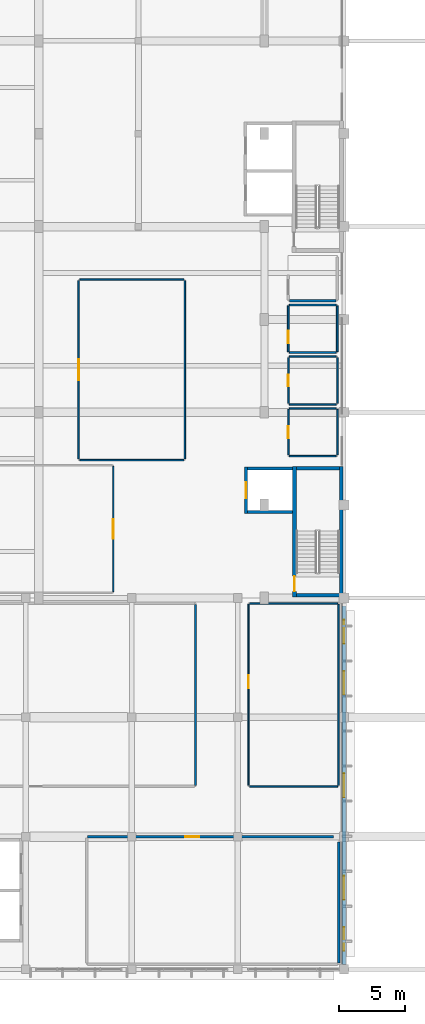
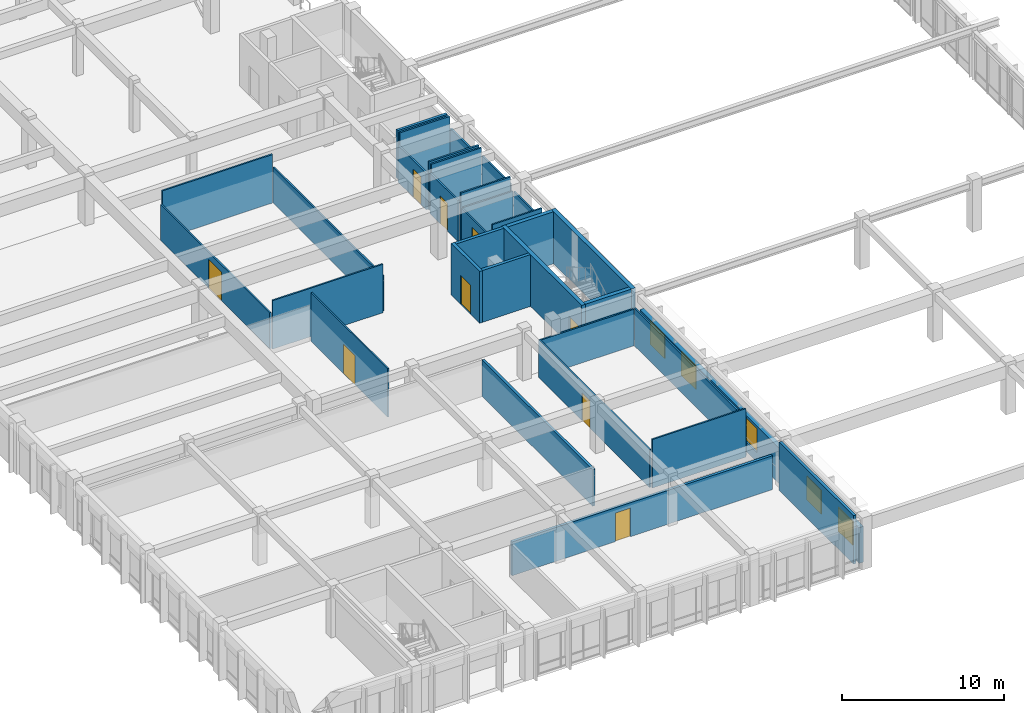
# One storey, part 73 of 98: 33 walls, 9 doors, 5 windows, 14 openings.
"""IFC4 building model written with IfcOpenShell, lengths in metres."""

from ifc_helpers import new_model, si_unit, direction, frame, frame_2d, origin, place, context, subcontext, project, spatial, rectangle, extrude, material, layer, layer_set, type_object, element, fill, save


model = new_model("IFC4")

# Units and contexts
model_context = context("Model", 3, precision=1e-05, world=origin(), true_north=direction((0.0, 1.0)))
body_context = subcontext(model_context, "Body", "Model", "MODEL_VIEW")
ifc_project = project(units=[si_unit("LENGTHUNIT", "METRE"), si_unit("AREAUNIT", "SQUARE_METRE"), si_unit("VOLUMEUNIT", "CUBIC_METRE"), si_unit("PLANEANGLEUNIT", "RADIAN"), si_unit("MASSUNIT", "GRAM", prefix="KILO")], contexts=[model_context])

# Site, building, storey
site_placement = place(None, origin())
site = spatial("IfcSite", under=ifc_project, at=site_placement, CompositionType="ELEMENT")
building_placement = place(site_placement, origin())
building = spatial("IfcBuilding", under=site, at=building_placement, Name="Larkveld Mobility Hub", CompositionType="ELEMENT")
storey_placement = place(building_placement, frame((0.0, 0.0, 4.5)))
storey = spatial("IfcBuildingStorey", under=building, at=storey_placement, Name="L01", CompositionType="ELEMENT", Elevation=4.5)

# Wall, opening, door
ifc_material_1 = material(Name="Concrete C40/50", Category="concrete")
ifc_layer_1 = layer(ifc_material_1, 0.280029296875, Name="Concrete C40/50", Category="concrete")
ifc_layer_set_1 = layer_set([ifc_layer_1], Name="Concrete C40/50")
wall_type_1 = type_object("IfcWallType", Name="WL-CORE-280", PredefinedType="SHEAR", material=ifc_layer_set_1)
wall_1_placement = place(storey_placement, frame((148.260009765625, 28.070068359375, 0.0), z_axis=(0.0, 0.0, 1.0), x_axis=(0.0, 1.0, 0.0)))
wall_1 = element("IfcWall", 1, at=wall_1_placement, inside=storey, type_object=wall_type_1, Name="Core C1 Stair Shear Wall L01-W", PredefinedType="SHEAR", context=body_context, shape_type="SweptSolid", body=[
    extrude(rectangle(XDim=9.85986328125, YDim=0.280029296875, at=frame_2d((4.929931640625, 0.0))), origin(), (0.0, 0.0, 1.0), 3.89990234375),
])
opening_1_placement = place(wall_1_placement, frame((0.429931640625, 0.0, 0.0)))
opening_1 = element("IfcOpeningElement", 2, at=opening_1_placement, cuts=wall_1, Name="Opening DF01", PredefinedType="OPENING", context=body_context, shape_type="SweptSolid", body=[
    extrude(rectangle(XDim=1.14990234375, YDim=2.14990234375, at=frame_2d((0.574951171875, 1.074951171875))), frame((0.0, 0.14990234375, 0.0), z_axis=(0.0, -1.0, 0.0), x_axis=(1.0, 0.0, 0.0)), (0.0, 0.0, 1.0), 0.300048828125),
])
ifc_material_2 = material(Name="Pressed Steel S355JR fire door assembly", Category="steel")
door_type_1 = type_object("IfcDoorType", Name="DR-FD120", OperationType="NOTDEFINED", PredefinedType="DOOR", material=ifc_material_2)
door_1_placement = place(opening_1_placement, origin())
door_1 = element("IfcDoor", 3, at=door_1_placement, inside=storey, type_object=door_type_1, Name="Stair ST1 Fire Door L01", OperationType="SINGLE_SWING_LEFT", OverallHeight=2.14990234375, OverallWidth=1.14990234375, PredefinedType="DOOR", context=body_context, shape_type="SweptSolid", body=[
    extrude(rectangle(XDim=1.14990234375, YDim=2.14990234375, at=frame_2d((0.574951171875, 1.074951171875))), frame((0.0, 0.02490234375, 0.0), z_axis=(0.0, -1.0, 0.0), x_axis=(1.0, 0.0, 0.0)), (0.0, 0.0, 1.0), 0.050048828125),
])
fill(opening_1, door_1)

# Walls
wall_2_placement = place(storey_placement, frame((151.7900390625, 37.929931640625, 0.0), z_axis=(0.0, 0.0, 1.0), x_axis=(0.0, -1.0, 0.0)))
element("IfcWall", 4, at=wall_2_placement, inside=storey, type_object=wall_type_1, Name="Core C1 Stair Shear Wall L01-E", PredefinedType="SHEAR", context=body_context, shape_type="SweptSolid", body=[
    extrude(rectangle(XDim=9.85986328125, YDim=0.280029296875, at=frame_2d((4.929931640625, 0.0))), origin(), (0.0, 0.0, 1.0), 3.89990234375),
])
for number, where, z_axis, x_axis, name in (
    (5, (151.64990234375, 28.2099609375, 0.0), (0.0, 0.0, 1.0), (-1.0, 0.0, 0.0), "Core C1 Stair Shear Wall L01-S"),
    (6, (148.39990234375, 37.7900390625, 0.0), (0.0, 0.0, 1.0), (1.0, 0.0, 0.0), "Core C1 Stair Shear Wall L01-N"),
):
    element("IfcWall", number, at=place(storey_placement, frame(where, z_axis=z_axis, x_axis=x_axis)), inside=storey, type_object=wall_type_1, Name=name, PredefinedType="SHEAR", context=body_context, shape_type="SweptSolid", body=[
        extrude(rectangle(XDim=3.25, YDim=0.280029296875, at=frame_2d((1.625, 0.0))), origin(), (0.0, 0.0, 1.0), 3.89990234375),
    ])

# Wall, openings, windows
ifc_material_3 = material(Name="Precast concrete C50/60", Category="concrete")
ifc_layer_2 = layer(ifc_material_3, 0.300048828125, Name="Precast concrete C50/60", Category="concrete")
ifc_layer_set_2 = layer_set([ifc_layer_2], Name="Precast concrete C50/60")
wall_type_2 = type_object("IfcWallType", Name="WL-EXT-300", PredefinedType="SOLIDWALL", material=ifc_layer_set_2)
wall_3_placement = place(storey_placement, frame((152.0, 0.360107421875, 0.0), z_axis=(0.0, 0.0, 1.0), x_axis=(0.0, 1.0, 0.0)))
wall_3 = element("IfcWall", 7, at=wall_3_placement, inside=storey, type_object=wall_type_2, Name="Service Wing East Wall L01-0208", PredefinedType="SOLIDWALL", context=body_context, shape_type="SweptSolid", body=[
    extrude(rectangle(XDim=27.02490234375, YDim=0.300048828125, at=frame_2d((13.512451171875, 0.0))), origin(), (0.0, 0.0, 1.0), 2.695068359375),
])
opening_2_placement = place(wall_3_placement, frame((1.030029296875, 0.0, 0.695068359375)))
opening_2 = element("IfcOpeningElement", 8, at=opening_2_placement, cuts=wall_3, Name="Opening W12", PredefinedType="OPENING", context=body_context, shape_type="SweptSolid", body=[
    extrude(rectangle(XDim=1.800048828125, YDim=1.800048828125, at=frame_2d((0.89990234375, 0.89990234375))), frame((0.0, 0.16015625, 0.0), z_axis=(0.0, -1.0, 0.0), x_axis=(1.0, 0.0, 0.0)), (0.0, 0.0, 1.0), 0.320068359375),
])
opening_3_placement = place(wall_3_placement, frame((4.89111328125, 0.0, 0.695068359375)))
opening_3 = element("IfcOpeningElement", 9, at=opening_3_placement, cuts=wall_3, Name="Opening W12", PredefinedType="OPENING", context=body_context, shape_type="SweptSolid", body=[
    extrude(rectangle(XDim=1.800048828125, YDim=1.800048828125, at=frame_2d((0.89990234375, 0.89990234375))), frame((0.0, 0.16015625, 0.0), z_axis=(0.0, -1.0, 0.0), x_axis=(1.0, 0.0, 0.0)), (0.0, 0.0, 1.0), 0.320068359375),
])
opening_4_placement = place(wall_3_placement, frame((12.613037109375, 0.0, 0.695068359375)))
opening_4 = element("IfcOpeningElement", 10, at=opening_4_placement, cuts=wall_3, Name="Opening W12", PredefinedType="OPENING", context=body_context, shape_type="SweptSolid", body=[
    extrude(rectangle(XDim=1.800048828125, YDim=1.800048828125, at=frame_2d((0.89990234375, 0.89990234375))), frame((0.0, 0.16015625, 0.0), z_axis=(0.0, -1.0, 0.0), x_axis=(1.0, 0.0, 0.0)), (0.0, 0.0, 1.0), 0.320068359375),
])
opening_5_placement = place(wall_3_placement, frame((20.333984375, 0.0, 0.695068359375)))
opening_5 = element("IfcOpeningElement", 11, at=opening_5_placement, cuts=wall_3, Name="Opening W12", PredefinedType="OPENING", context=body_context, shape_type="SweptSolid", body=[
    extrude(rectangle(XDim=1.800048828125, YDim=1.800048828125, at=frame_2d((0.89990234375, 0.89990234375))), frame((0.0, 0.16015625, 0.0), z_axis=(0.0, -1.0, 0.0), x_axis=(1.0, 0.0, 0.0)), (0.0, 0.0, 1.0), 0.320068359375),
])
opening_6_placement = place(wall_3_placement, frame((24.195068359375, 0.0, 0.695068359375)))
opening_6 = element("IfcOpeningElement", 12, at=opening_6_placement, cuts=wall_3, Name="Opening W12", PredefinedType="OPENING", context=body_context, shape_type="SweptSolid", body=[
    extrude(rectangle(XDim=1.800048828125, YDim=1.800048828125, at=frame_2d((0.89990234375, 0.89990234375))), frame((0.0, 0.16015625, 0.0), z_axis=(0.0, -1.0, 0.0), x_axis=(1.0, 0.0, 0.0)), (0.0, 0.0, 1.0), 0.320068359375),
])
ifc_material_4 = material(Name="Low-E double glazing in aluminium frame", Category="aluminium")
window_type = type_object("IfcWindowType", Name="WN-ALU-12", PartitioningType="SINGLE_PANEL", PredefinedType="WINDOW", material=ifc_material_4)
window_1_placement = place(opening_2_placement, origin())
window_1 = element("IfcWindow", 13, at=window_1_placement, inside=storey, type_object=window_type, Name="Window W12 (1000)", OverallHeight=1.800048828125, OverallWidth=1.800048828125, PartitioningType="SINGLE_PANEL", PredefinedType="WINDOW", context=body_context, shape_type="SweptSolid", body=[
    extrude(rectangle(XDim=1.800048828125, YDim=1.800048828125, at=frame_2d((0.89990234375, 0.89990234375))), frame((0.0, 0.030029296875, 0.0), z_axis=(0.0, -1.0, 0.0), x_axis=(1.0, 0.0, 0.0)), (0.0, 0.0, 1.0), 0.06005859375),
])
fill(opening_2, window_1)
window_2_placement = place(opening_3_placement, origin())
window_2 = element("IfcWindow", 14, at=window_2_placement, inside=storey, type_object=window_type, Name="Window W12 (1001)", OverallHeight=1.800048828125, OverallWidth=1.800048828125, PartitioningType="SINGLE_PANEL", PredefinedType="WINDOW", context=body_context, shape_type="SweptSolid", body=[
    extrude(rectangle(XDim=1.800048828125, YDim=1.800048828125, at=frame_2d((0.89990234375, 0.89990234375))), frame((0.0, 0.030029296875, 0.0), z_axis=(0.0, -1.0, 0.0), x_axis=(1.0, 0.0, 0.0)), (0.0, 0.0, 1.0), 0.06005859375),
])
fill(opening_3, window_2)
window_3_placement = place(opening_4_placement, origin())
window_3 = element("IfcWindow", 15, at=window_3_placement, inside=storey, type_object=window_type, Name="Window W12 (1002)", OverallHeight=1.800048828125, OverallWidth=1.800048828125, PartitioningType="SINGLE_PANEL", PredefinedType="WINDOW", context=body_context, shape_type="SweptSolid", body=[
    extrude(rectangle(XDim=1.800048828125, YDim=1.800048828125, at=frame_2d((0.89990234375, 0.89990234375))), frame((0.0, 0.030029296875, 0.0), z_axis=(0.0, -1.0, 0.0), x_axis=(1.0, 0.0, 0.0)), (0.0, 0.0, 1.0), 0.06005859375),
])
fill(opening_4, window_3)
window_4_placement = place(opening_5_placement, origin())
window_4 = element("IfcWindow", 16, at=window_4_placement, inside=storey, type_object=window_type, Name="Window W12 (1003)", OverallHeight=1.800048828125, OverallWidth=1.800048828125, PartitioningType="SINGLE_PANEL", PredefinedType="WINDOW", context=body_context, shape_type="SweptSolid", body=[
    extrude(rectangle(XDim=1.800048828125, YDim=1.800048828125, at=frame_2d((0.89990234375, 0.89990234375))), frame((0.0, 0.030029296875, 0.0), z_axis=(0.0, -1.0, 0.0), x_axis=(1.0, 0.0, 0.0)), (0.0, 0.0, 1.0), 0.06005859375),
])
fill(opening_5, window_4)
window_5_placement = place(opening_6_placement, origin())
window_5 = element("IfcWindow", 17, at=window_5_placement, inside=storey, type_object=window_type, Name="Window W12 (1004)", OverallHeight=1.800048828125, OverallWidth=1.800048828125, PartitioningType="SINGLE_PANEL", PredefinedType="WINDOW", context=body_context, shape_type="SweptSolid", body=[
    extrude(rectangle(XDim=1.800048828125, YDim=1.800048828125, at=frame_2d((0.89990234375, 0.89990234375))), frame((0.0, 0.030029296875, 0.0), z_axis=(0.0, -1.0, 0.0), x_axis=(1.0, 0.0, 0.0)), (0.0, 0.0, 1.0), 0.06005859375),
])
fill(opening_6, window_5)

# Wall, opening, door
ifc_material_5 = material(Name="Concrete blockwork masonry 14 MPa", Category="masonry")
ifc_layer_3 = layer(ifc_material_5, 0.10009765625, Name="Concrete blockwork masonry 14 MPa", Category="masonry")
ifc_layer_set_3 = layer_set([ifc_layer_3], Name="Concrete blockwork masonry 14 MPa")
wall_type_3 = type_object("IfcWallType", Name="WL-PRT-100", PredefinedType="PARTITIONING", material=ifc_layer_set_3)
wall_4_placement = place(storey_placement, frame((134.60009765625, 28.47998046875, 0.0), z_axis=(0.0, 0.0, 1.0), x_axis=(0.0, 1.0, 0.0)))
wall_4 = element("IfcWall", 18, at=wall_4_placement, inside=storey, type_object=wall_type_3, Name="Intermodal Passenger Waiting Concourse Partition 0078", PredefinedType="PARTITIONING", context=body_context, shape_type="SweptSolid", body=[
    extrude(rectangle(XDim=9.43994140625, YDim=0.10009765625, at=frame_2d((4.719970703125, 0.0))), origin(), (0.0, 0.0, 1.0), 3.64501953125),
])
opening_7_placement = place(wall_4_placement, frame((3.9951171875, 0.0, 0.0)))
opening_7 = element("IfcOpeningElement", 19, at=opening_7_placement, cuts=wall_4, Name="Opening DI08", PredefinedType="OPENING", context=body_context, shape_type="SweptSolid", body=[
    extrude(rectangle(XDim=1.449951171875, YDim=2.199951171875, at=frame_2d((0.72509765625, 1.10009765625))), frame((0.0, 0.06005859375, 0.0), z_axis=(0.0, -1.0, 0.0), x_axis=(1.0, 0.0, 0.0)), (0.0, 0.0, 1.0), 0.1201171875),
])
ifc_material_6 = material(Name="Solid-core hardwood timber door in aluminium frame", Category="wood")
door_type_2 = type_object("IfcDoorType", Name="DR-INT-145", OperationType="NOTDEFINED", PredefinedType="DOOR", material=ifc_material_6)
door_2_placement = place(opening_7_placement, origin())
door_2 = element("IfcDoor", 20, at=door_2_placement, inside=storey, type_object=door_type_2, Name="Intermodal Passenger Waiting Concourse Door 0020", OperationType="DOUBLE_DOOR_SINGLE_SWING", OverallHeight=2.199951171875, OverallWidth=1.449951171875, PredefinedType="DOOR", context=body_context, shape_type="SweptSolid", body=[
    extrude(rectangle(XDim=1.449951171875, YDim=2.199951171875, at=frame_2d((0.72509765625, 1.10009765625))), frame((0.0, 0.02490234375, 0.0), z_axis=(0.0, -1.0, 0.0), x_axis=(1.0, 0.0, 0.0)), (0.0, 0.0, 1.0), 0.050048828125),
])
fill(opening_7, door_2)

# Walls
ifc_layer_4 = layer(ifc_material_5, 0.110107421875, Name="Concrete blockwork masonry 14 MPa", Category="masonry")
ifc_layer_set_4 = layer_set([ifc_layer_4], Name="Concrete blockwork masonry 14 MPa")
wall_type_4 = type_object("IfcWallType", Name="WL-PRT-110", PredefinedType="PARTITIONING", material=ifc_layer_set_4)
wall_5_placement = place(storey_placement, frame((147.8798828125, 38.699951171875, 0.0), z_axis=(0.0, 0.0, 1.0), x_axis=(1.0, 0.0, 0.0)))
element("IfcWall", 21, at=wall_5_placement, inside=storey, type_object=wall_type_4, Name="Male Public Toilet Partition 0060", PredefinedType="PARTITIONING", context=body_context, shape_type="SweptSolid", body=[
    extrude(rectangle(XDim=3.5341796875, YDim=0.110107421875, at=frame_2d((1.76708984375, 0.0))), origin(), (0.0, 0.0, 1.0), 3.64501953125),
])
wall_6_placement = place(storey_placement, frame((147.8798828125, 42.2939453125, 0.0), z_axis=(0.0, 0.0, 1.0), x_axis=(1.0, 0.0, 0.0)))
element("IfcWall", 22, at=wall_6_placement, inside=storey, type_object=wall_type_4, Name="Male Public Toilet Partition 0061", PredefinedType="PARTITIONING", context=body_context, shape_type="SweptSolid", body=[
    extrude(rectangle(XDim=3.5341796875, YDim=0.110107421875, at=frame_2d((1.76708984375, 0.0))), origin(), (0.0, 0.0, 1.0), 2.7451171875),
])

# Wall, opening, door
wall_7_placement = place(storey_placement, frame((147.800048828125, 38.780029296875, 0.0), z_axis=(0.0, 0.0, 1.0), x_axis=(0.0, 1.0, 0.0)))
wall_7 = element("IfcWall", 23, at=wall_7_placement, inside=storey, type_object=wall_type_4, Name="Male Public Toilet Partition 0062", PredefinedType="PARTITIONING", context=body_context, shape_type="SweptSolid", body=[
    extrude(rectangle(XDim=3.43408203125, YDim=0.110107421875, at=frame_2d((1.717041015625, 0.0))), origin(), (0.0, 0.0, 1.0), 2.7451171875),
])
opening_8_placement = place(wall_7_placement, frame((1.26708984375, 0.0, 0.0)))
opening_8 = element("IfcOpeningElement", 24, at=opening_8_placement, cuts=wall_7, Name="Opening DI01", PredefinedType="OPENING", context=body_context, shape_type="SweptSolid", body=[
    extrude(rectangle(XDim=0.89990234375, YDim=2.10009765625, at=frame_2d((0.449951171875, 1.050048828125))), frame((0.0, 0.06494140625, 0.0), z_axis=(0.0, -1.0, 0.0), x_axis=(1.0, 0.0, 0.0)), (0.0, 0.0, 1.0), 0.130126953125),
])
door_type_3 = type_object("IfcDoorType", Name="DR-INT-090", OperationType="NOTDEFINED", PredefinedType="DOOR", material=ifc_material_6)
door_3_placement = place(opening_8_placement, origin())
door_3 = element("IfcDoor", 25, at=door_3_placement, inside=storey, type_object=door_type_3, Name="Male Public Toilet Door 0016", OperationType="SINGLE_SWING_LEFT", OverallHeight=2.10009765625, OverallWidth=0.89990234375, PredefinedType="DOOR", context=body_context, shape_type="SweptSolid", body=[
    extrude(rectangle(XDim=0.89990234375, YDim=2.10009765625, at=frame_2d((0.449951171875, 1.050048828125))), frame((0.0, 0.02490234375, 0.0), z_axis=(0.0, -1.0, 0.0), x_axis=(1.0, 0.0, 0.0)), (0.0, 0.0, 1.0), 0.050048828125),
])
fill(opening_8, door_3)

# Walls
wall_8_placement = place(storey_placement, frame((151.493896484375, 38.780029296875, 0.0), z_axis=(0.0, 0.0, 1.0), x_axis=(0.0, 1.0, 0.0)))
element("IfcWall", 26, at=wall_8_placement, inside=storey, type_object=wall_type_4, Name="Male Public Toilet Partition 0063", PredefinedType="PARTITIONING", context=body_context, shape_type="SweptSolid", body=[
    extrude(rectangle(XDim=3.43408203125, YDim=0.110107421875, at=frame_2d((1.717041015625, 0.0))), origin(), (0.0, 0.0, 1.0), 2.7451171875),
])
for number, where, z_axis, x_axis, name in (
    (27, (132.080078125, 38.39990234375, 0.0), (0.0, 0.0, 1.0), (1.0, 0.0, 0.0), "Transit Convenience Kiosk and Pharmacy Partition 0079"),
    (28, (132.080078125, 52.0, 0.0), (0.0, 0.0, 1.0), (1.0, 0.0, 0.0), "Transit Convenience Kiosk and Pharmacy Partition 0080"),
):
    element("IfcWall", number, at=place(storey_placement, frame(where, z_axis=z_axis, x_axis=x_axis)), inside=storey, type_object=wall_type_4, Name=name, PredefinedType="PARTITIONING", context=body_context, shape_type="SweptSolid", body=[
        extrude(rectangle(XDim=7.83984375, YDim=0.110107421875, at=frame_2d((3.919921875, 0.0))), origin(), (0.0, 0.0, 1.0), 3.64501953125),
    ])

# Wall, opening, door
wall_9_placement = place(storey_placement, frame((132.0, 38.47998046875, 0.0), z_axis=(0.0, 0.0, 1.0), x_axis=(0.0, 1.0, 0.0)))
wall_9 = element("IfcWall", 29, at=wall_9_placement, inside=storey, type_object=wall_type_4, Name="Transit Convenience Kiosk and Pharmacy Partition 0081", PredefinedType="PARTITIONING", context=body_context, shape_type="SweptSolid", body=[
    extrude(rectangle(XDim=13.43994140625, YDim=0.110107421875, at=frame_2d((6.719970703125, 0.0))), origin(), (0.0, 0.0, 1.0), 2.695068359375),
])
opening_9_placement = place(wall_9_placement, frame((5.919921875, 0.0, 0.0)))
opening_9 = element("IfcOpeningElement", 30, at=opening_9_placement, cuts=wall_9, Name="Opening DI09", PredefinedType="OPENING", context=body_context, shape_type="SweptSolid", body=[
    extrude(rectangle(XDim=1.60009765625, YDim=2.14990234375, at=frame_2d((0.800048828125, 1.074951171875))), frame((0.0, 0.06494140625, 0.0), z_axis=(0.0, -1.0, 0.0), x_axis=(1.0, 0.0, 0.0)), (0.0, 0.0, 1.0), 0.130126953125),
])
door_type_4 = type_object("IfcDoorType", Name="DR-INT-160", OperationType="NOTDEFINED", PredefinedType="DOOR", material=ifc_material_6)
door_4_placement = place(opening_9_placement, origin())
door_4 = element("IfcDoor", 31, at=door_4_placement, inside=storey, type_object=door_type_4, Name="Transit Convenience Kiosk and Pharmacy Door 0021", OperationType="DOUBLE_DOOR_SINGLE_SWING", OverallHeight=2.14990234375, OverallWidth=1.60009765625, PredefinedType="DOOR", context=body_context, shape_type="SweptSolid", body=[
    extrude(rectangle(XDim=1.60009765625, YDim=2.14990234375, at=frame_2d((0.800048828125, 1.074951171875))), frame((0.0, 0.02490234375, 0.0), z_axis=(0.0, -1.0, 0.0), x_axis=(1.0, 0.0, 0.0)), (0.0, 0.0, 1.0), 0.050048828125),
])
fill(opening_9, door_4)

# Walls
wall_10_placement = place(storey_placement, frame((140.0, 38.47998046875, 0.0), z_axis=(0.0, 0.0, 1.0), x_axis=(0.0, 1.0, 0.0)))
element("IfcWall", 32, at=wall_10_placement, inside=storey, type_object=wall_type_4, Name="Transit Convenience Kiosk and Pharmacy Partition 0082", PredefinedType="PARTITIONING", context=body_context, shape_type="SweptSolid", body=[
    extrude(rectangle(XDim=13.43994140625, YDim=0.110107421875, at=frame_2d((6.719970703125, 0.0))), origin(), (0.0, 0.0, 1.0), 2.695068359375),
])
wall_11_placement = place(storey_placement, frame((144.8798828125, 13.800048828125, 0.0), z_axis=(0.0, 0.0, 1.0), x_axis=(1.0, 0.0, 0.0)))
element("IfcWall", 33, at=wall_11_placement, inside=storey, type_object=wall_type_4, Name="Fleet Operations Dispatch Office Partition 0103", PredefinedType="PARTITIONING", context=body_context, shape_type="SweptSolid", body=[
    extrude(rectangle(XDim=6.64013671875, YDim=0.110107421875, at=frame_2d((3.320068359375, 0.0))), origin(), (0.0, 0.0, 1.0), 3.64501953125),
])
wall_12_placement = place(storey_placement, frame((144.8798828125, 27.60009765625, 0.0), z_axis=(0.0, 0.0, 1.0), x_axis=(1.0, 0.0, 0.0)))
element("IfcWall", 34, at=wall_12_placement, inside=storey, type_object=wall_type_4, Name="Fleet Operations Dispatch Office Partition 0104", PredefinedType="PARTITIONING", context=body_context, shape_type="SweptSolid", body=[
    extrude(rectangle(XDim=6.64013671875, YDim=0.110107421875, at=frame_2d((3.320068359375, 0.0))), origin(), (0.0, 0.0, 1.0), 2.7451171875),
])

# Wall, opening, door
wall_13_placement = place(storey_placement, frame((144.800048828125, 13.8798828125, 0.0), z_axis=(0.0, 0.0, 1.0), x_axis=(0.0, 1.0, 0.0)))
wall_13 = element("IfcWall", 35, at=wall_13_placement, inside=storey, type_object=wall_type_4, Name="Fleet Operations Dispatch Office Partition 0105", PredefinedType="PARTITIONING", context=body_context, shape_type="SweptSolid", body=[
    extrude(rectangle(XDim=13.64013671875, YDim=0.110107421875, at=frame_2d((6.820068359375, 0.0))), origin(), (0.0, 0.0, 1.0), 2.844970703125),
])
opening_10_placement = place(wall_13_placement, frame((7.306884765625, 0.0, 0.0)))
opening_10 = element("IfcOpeningElement", 36, at=opening_10_placement, cuts=wall_13, Name="Opening DI03", PredefinedType="OPENING", context=body_context, shape_type="SweptSolid", body=[
    extrude(rectangle(XDim=1.0, YDim=2.10009765625, at=frame_2d((0.5, 1.050048828125))), frame((0.0, 0.06494140625, 0.0), z_axis=(0.0, -1.0, 0.0), x_axis=(1.0, 0.0, 0.0)), (0.0, 0.0, 1.0), 0.130126953125),
])
door_type_5 = type_object("IfcDoorType", Name="DR-INT-100", OperationType="NOTDEFINED", PredefinedType="DOOR", material=ifc_material_6)
door_5_placement = place(opening_10_placement, origin())
door_5 = element("IfcDoor", 37, at=door_5_placement, inside=storey, type_object=door_type_5, Name="Fleet Operations Dispatch Office Door 0027", OperationType="SINGLE_SWING_RIGHT", OverallHeight=2.10009765625, OverallWidth=1.0, PredefinedType="DOOR", context=body_context, shape_type="SweptSolid", body=[
    extrude(rectangle(XDim=1.0, YDim=2.10009765625, at=frame_2d((0.5, 1.050048828125))), frame((0.0, 0.02490234375, 0.0), z_axis=(0.0, -1.0, 0.0), x_axis=(1.0, 0.0, 0.0)), (0.0, 0.0, 1.0), 0.050048828125),
])
fill(opening_10, door_5)

# Walls
wall_14_placement = place(storey_placement, frame((151.60009765625, 13.8798828125, 0.0), z_axis=(0.0, 0.0, 1.0), x_axis=(0.0, 1.0, 0.0)))
element("IfcWall", 38, at=wall_14_placement, inside=storey, type_object=wall_type_4, Name="Fleet Operations Dispatch Office Partition 0106", PredefinedType="PARTITIONING", context=body_context, shape_type="SweptSolid", body=[
    extrude(rectangle(XDim=13.64013671875, YDim=0.110107421875, at=frame_2d((6.820068359375, 0.0))), origin(), (0.0, 0.0, 1.0), 2.844970703125),
])
ifc_layer_5 = layer(ifc_material_5, 0.1201171875, Name="Concrete blockwork masonry 14 MPa", Category="masonry")
ifc_layer_set_5 = layer_set([ifc_layer_5], Name="Concrete blockwork masonry 14 MPa")
wall_type_5 = type_object("IfcWallType", Name="WL-PRT-120", PredefinedType="PARTITIONING", material=ifc_layer_set_5)
for number, where, z_axis, x_axis, name in (
    (39, (147.8798828125, 42.60009765625, 0.0), (0.0, 0.0, 1.0), (1.0, 0.0, 0.0), "Female Public Toilet Partition 0064"),
    (40, (147.8798828125, 46.194091796875, 0.0), (0.0, 0.0, 1.0), (1.0, 0.0, 0.0), "Female Public Toilet Partition 0065"),
):
    element("IfcWall", number, at=place(storey_placement, frame(where, z_axis=z_axis, x_axis=x_axis)), inside=storey, type_object=wall_type_5, Name=name, PredefinedType="PARTITIONING", context=body_context, shape_type="SweptSolid", body=[
        extrude(rectangle(XDim=3.5341796875, YDim=0.1201171875, at=frame_2d((1.76708984375, 0.0))), origin(), (0.0, 0.0, 1.0), 3.64501953125),
    ])

# Wall, opening, door
wall_15_placement = place(storey_placement, frame((147.800048828125, 42.679931640625, 0.0), z_axis=(0.0, 0.0, 1.0), x_axis=(0.0, 1.0, 0.0)))
wall_15 = element("IfcWall", 41, at=wall_15_placement, inside=storey, type_object=wall_type_5, Name="Female Public Toilet Partition 0066", PredefinedType="PARTITIONING", context=body_context, shape_type="SweptSolid", body=[
    extrude(rectangle(XDim=3.43408203125, YDim=0.1201171875, at=frame_2d((1.717041015625, 0.0))), origin(), (0.0, 0.0, 1.0), 3.054931640625),
])
opening_11_placement = place(wall_15_placement, frame((1.26708984375, 0.0, 0.0)))
opening_11 = element("IfcOpeningElement", 42, at=opening_11_placement, cuts=wall_15, Name="Opening DI01", PredefinedType="OPENING", context=body_context, shape_type="SweptSolid", body=[
    extrude(rectangle(XDim=0.89990234375, YDim=2.10009765625, at=frame_2d((0.449951171875, 1.050048828125))), frame((0.0, 0.070068359375, 0.0), z_axis=(0.0, -1.0, 0.0), x_axis=(1.0, 0.0, 0.0)), (0.0, 0.0, 1.0), 0.14013671875),
])
door_6_placement = place(opening_11_placement, origin())
door_6 = element("IfcDoor", 43, at=door_6_placement, inside=storey, type_object=door_type_3, Name="Female Public Toilet Door 0017", OperationType="SINGLE_SWING_RIGHT", OverallHeight=2.10009765625, OverallWidth=0.89990234375, PredefinedType="DOOR", context=body_context, shape_type="SweptSolid", body=[
    extrude(rectangle(XDim=0.89990234375, YDim=2.10009765625, at=frame_2d((0.449951171875, 1.050048828125))), frame((0.0, 0.02490234375, 0.0), z_axis=(0.0, -1.0, 0.0), x_axis=(1.0, 0.0, 0.0)), (0.0, 0.0, 1.0), 0.050048828125),
])
fill(opening_11, door_6)

# Walls
wall_16_placement = place(storey_placement, frame((151.493896484375, 42.679931640625, 0.0), z_axis=(0.0, 0.0, 1.0), x_axis=(0.0, 1.0, 0.0)))
element("IfcWall", 44, at=wall_16_placement, inside=storey, type_object=wall_type_5, Name="Female Public Toilet Partition 0067", PredefinedType="PARTITIONING", context=body_context, shape_type="SweptSolid", body=[
    extrude(rectangle(XDim=3.43408203125, YDim=0.1201171875, at=frame_2d((1.717041015625, 0.0))), origin(), (0.0, 0.0, 1.0), 3.054931640625),
])
ifc_layer_6 = layer(ifc_material_5, 0.1298828125, Name="Concrete blockwork masonry 14 MPa", Category="masonry")
ifc_layer_set_6 = layer_set([ifc_layer_6], Name="Concrete blockwork masonry 14 MPa")
wall_type_6 = type_object("IfcWallType", Name="WL-PRT-130", PredefinedType="PARTITIONING", material=ifc_layer_set_6)
for number, where, z_axis, x_axis, name in (
    (45, (147.8798828125, 46.5, 0.0), (0.0, 0.0, 1.0), (1.0, 0.0, 0.0), "Accessible Unisex Toilet Partition 0068"),
    (46, (147.8798828125, 50.093994140625, 0.0), (0.0, 0.0, 1.0), (1.0, 0.0, 0.0), "Accessible Unisex Toilet Partition 0069"),
):
    element("IfcWall", number, at=place(storey_placement, frame(where, z_axis=z_axis, x_axis=x_axis)), inside=storey, type_object=wall_type_6, Name=name, PredefinedType="PARTITIONING", context=body_context, shape_type="SweptSolid", body=[
        extrude(rectangle(XDim=3.5341796875, YDim=0.1298828125, at=frame_2d((1.76708984375, 0.0))), origin(), (0.0, 0.0, 1.0), 3.64501953125),
    ])

# Wall, opening, door
wall_17_placement = place(storey_placement, frame((147.800048828125, 46.580078125, 0.0), z_axis=(0.0, 0.0, 1.0), x_axis=(0.0, 1.0, 0.0)))
wall_17 = element("IfcWall", 47, at=wall_17_placement, inside=storey, type_object=wall_type_6, Name="Accessible Unisex Toilet Partition 0070", PredefinedType="PARTITIONING", context=body_context, shape_type="SweptSolid", body=[
    extrude(rectangle(XDim=3.433837890625, YDim=0.1298828125, at=frame_2d((1.716796875, 0.0))), origin(), (0.0, 0.0, 1.0), 2.7451171875),
])
opening_12_placement = place(wall_17_placement, frame((0.6298828125, 0.0, 0.0)))
opening_12 = element("IfcOpeningElement", 48, at=opening_12_placement, cuts=wall_17, Name="Opening DI02", PredefinedType="OPENING", context=body_context, shape_type="SweptSolid", body=[
    extrude(rectangle(XDim=0.949951171875, YDim=2.10009765625, at=frame_2d((0.47509765625, 1.050048828125))), frame((0.0, 0.074951171875, 0.0), z_axis=(0.0, -1.0, 0.0), x_axis=(1.0, 0.0, 0.0)), (0.0, 0.0, 1.0), 0.14990234375),
])
door_type_6 = type_object("IfcDoorType", Name="DR-INT-095", OperationType="NOTDEFINED", PredefinedType="DOOR", material=ifc_material_6)
door_7_placement = place(opening_12_placement, origin())
door_7 = element("IfcDoor", 49, at=door_7_placement, inside=storey, type_object=door_type_6, Name="Accessible Unisex Toilet Door 0018", OperationType="SINGLE_SWING_LEFT", OverallHeight=2.10009765625, OverallWidth=0.949951171875, PredefinedType="DOOR", context=body_context, shape_type="SweptSolid", body=[
    extrude(rectangle(XDim=0.949951171875, YDim=2.10009765625, at=frame_2d((0.47509765625, 1.050048828125))), frame((0.0, 0.02490234375, 0.0), z_axis=(0.0, -1.0, 0.0), x_axis=(1.0, 0.0, 0.0)), (0.0, 0.0, 1.0), 0.050048828125),
])
fill(opening_12, door_7)

# Walls
wall_18_placement = place(storey_placement, frame((151.493896484375, 46.580078125, 0.0), z_axis=(0.0, 0.0, 1.0), x_axis=(0.0, 1.0, 0.0)))
element("IfcWall", 50, at=wall_18_placement, inside=storey, type_object=wall_type_6, Name="Accessible Unisex Toilet Partition 0071", PredefinedType="PARTITIONING", context=body_context, shape_type="SweptSolid", body=[
    extrude(rectangle(XDim=3.433837890625, YDim=0.1298828125, at=frame_2d((1.716796875, 0.0))), origin(), (0.0, 0.0, 1.0), 2.7451171875),
])
ifc_layer_7 = layer(ifc_material_5, 0.175048828125, Name="Concrete blockwork masonry 14 MPa", Category="masonry")
ifc_layer_set_7 = layer_set([ifc_layer_7], Name="Concrete blockwork masonry 14 MPa")
wall_type_7 = type_object("IfcWallType", Name="WL-PRT-175", PredefinedType="PARTITIONING", material=ifc_layer_set_7)
wall_19_placement = place(storey_placement, frame((140.800048828125, 13.8798828125, 0.0), z_axis=(0.0, 0.0, 1.0), x_axis=(0.0, 1.0, 0.0)))
element("IfcWall", 51, at=wall_19_placement, inside=storey, type_object=wall_type_7, Name="Bus and Taxi Driver Rest Canteen Partition 0098", PredefinedType="PARTITIONING", context=body_context, shape_type="SweptSolid", body=[
    extrude(rectangle(XDim=13.64013671875, YDim=0.175048828125, at=frame_2d((6.820068359375, 0.0))), origin(), (0.0, 0.0, 1.0), 2.7451171875),
])
ifc_layer_8 = layer(ifc_material_5, 0.195068359375, Name="Concrete blockwork masonry 14 MPa", Category="masonry")
ifc_layer_set_8 = layer_set([ifc_layer_8], Name="Concrete blockwork masonry 14 MPa")
wall_type_8 = type_object("IfcWallType", Name="WL-PRT-195", PredefinedType="PARTITIONING", material=ifc_layer_set_8)
wall_20_placement = place(storey_placement, frame((147.8798828125, 50.39990234375, 0.0), z_axis=(0.0, 0.0, 1.0), x_axis=(1.0, 0.0, 0.0)))
element("IfcWall", 52, at=wall_20_placement, inside=storey, type_object=wall_type_8, Name="Cleaners Store Room Partition 0072", PredefinedType="PARTITIONING", context=body_context, shape_type="SweptSolid", body=[
    extrude(rectangle(XDim=3.5341796875, YDim=0.195068359375, at=frame_2d((1.76708984375, 0.0))), origin(), (0.0, 0.0, 1.0), 3.64501953125),
])

# Wall, opening, door
wall_21_placement = place(storey_placement, frame((132.679931640625, 10.0, 0.0), z_axis=(0.0, 0.0, 1.0), x_axis=(1.0, 0.0, 0.0)))
wall_21 = element("IfcWall", 53, at=wall_21_placement, inside=storey, type_object=wall_type_8, Name="Fleet Spare Parts and Tyre Store Partition 0100", PredefinedType="PARTITIONING", context=body_context, shape_type="SweptSolid", body=[
    extrude(rectangle(XDim=18.530029296875, YDim=0.195068359375, at=frame_2d((9.26513671875, 0.0))), origin(), (0.0, 0.0, 1.0), 2.544921875),
])
opening_13_placement = place(wall_21_placement, frame((7.365966796875, 0.0, 0.0)))
opening_13 = element("IfcOpeningElement", 54, at=opening_13_placement, cuts=wall_21, Name="Opening DF02", PredefinedType="OPENING", context=body_context, shape_type="SweptSolid", body=[
    extrude(rectangle(XDim=1.050048828125, YDim=2.14990234375, at=frame_2d((0.52490234375, 1.074951171875))), frame((0.0, 0.107421875, 0.0), z_axis=(0.0, -1.0, 0.0), x_axis=(1.0, 0.0, 0.0)), (0.0, 0.0, 1.0), 0.215087890625),
])
door_type_7 = type_object("IfcDoorType", Name="DR-FD60", OperationType="NOTDEFINED", PredefinedType="DOOR", material=ifc_material_2)
door_8_placement = place(opening_13_placement, origin())
door_8 = element("IfcDoor", 55, at=door_8_placement, inside=storey, type_object=door_type_7, Name="Fleet Spare Parts and Tyre Store Door 0026", OperationType="SINGLE_SWING_LEFT", OverallHeight=2.14990234375, OverallWidth=1.050048828125, PredefinedType="DOOR", context=body_context, shape_type="SweptSolid", body=[
    extrude(rectangle(XDim=1.050048828125, YDim=2.14990234375, at=frame_2d((0.52490234375, 1.074951171875))), frame((0.0, 0.02490234375, 0.0), z_axis=(0.0, -1.0, 0.0), x_axis=(1.0, 0.0, 0.0)), (0.0, 0.0, 1.0), 0.050048828125),
])
fill(opening_13, door_8)

# Wall
wall_22_placement = place(storey_placement, frame((151.60009765625, 0.47998046875, 0.0), z_axis=(0.0, 0.0, 1.0), x_axis=(0.0, 1.0, 0.0)))
element("IfcWall", 56, at=wall_22_placement, inside=storey, type_object=wall_type_8, Name="Fleet Spare Parts and Tyre Store Partition 0102", PredefinedType="PARTITIONING", context=body_context, shape_type="SweptSolid", body=[
    extrude(rectangle(XDim=9.130126953125, YDim=0.195068359375, at=frame_2d((4.56494140625, 0.0))), origin(), (0.0, 0.0, 1.0), 3.64501953125),
])

# Wall, opening, door
ifc_layer_9 = layer(ifc_material_1, 0.219970703125, Name="Concrete C40/50", Category="concrete")
ifc_layer_set_9 = layer_set([ifc_layer_9], Name="Concrete C40/50")
wall_type_9 = type_object("IfcWallType", Name="WL-SHF-220", PredefinedType="SHEAR", material=ifc_layer_set_9)
wall_23_placement = place(storey_placement, frame((144.610107421875, 34.3798828125, 0.0), z_axis=(0.0, 0.0, 1.0), x_axis=(0.0, 1.0, 0.0)))
wall_23 = element("IfcWall", 57, at=wall_23_placement, inside=storey, type_object=wall_type_9, Name="Lift FL1 Shaft Wall L01-W", PredefinedType="SHEAR", context=body_context, shape_type="SweptSolid", body=[
    extrude(rectangle(XDim=3.490234375, YDim=0.219970703125, at=frame_2d((1.7451171875, 0.0))), origin(), (0.0, 0.0, 1.0), 3.89990234375),
])
opening_14_placement = place(wall_23_placement, frame((1.14501953125, 0.0, 0.0)))
opening_14 = element("IfcOpeningElement", 58, at=opening_14_placement, cuts=wall_23, Name="Opening LD02", PredefinedType="OPENING", context=body_context, shape_type="SweptSolid", body=[
    extrude(rectangle(XDim=1.199951171875, YDim=2.199951171875, at=frame_2d((0.60009765625, 1.10009765625))), frame((0.0, 0.1201171875, 0.0), z_axis=(0.0, -1.0, 0.0), x_axis=(1.0, 0.0, 0.0)), (0.0, 0.0, 1.0), 0.239990234375),
])
ifc_material_7 = material(Name="Brushed stainless Steel S355JR sliding landing door", Category="steel")
door_type_8 = type_object("IfcDoorType", Name="DR-LD-120", OperationType="DOUBLE_DOOR_SLIDING", PredefinedType="DOOR", material=ifc_material_7)
door_9_placement = place(opening_14_placement, origin())
door_9 = element("IfcDoor", 59, at=door_9_placement, inside=storey, type_object=door_type_8, Name="Lift landing door FL1-L01", OperationType="DOUBLE_DOOR_SLIDING", OverallHeight=2.199951171875, OverallWidth=1.199951171875, PredefinedType="DOOR", context=body_context, shape_type="SweptSolid", body=[
    extrude(rectangle(XDim=1.199951171875, YDim=2.199951171875, at=frame_2d((0.60009765625, 1.10009765625))), frame((0.0, 0.02490234375, 0.0), z_axis=(0.0, -1.0, 0.0), x_axis=(1.0, 0.0, 0.0)), (0.0, 0.0, 1.0), 0.050048828125),
])
fill(opening_14, door_9)

# Walls
for number, where, z_axis, x_axis, name in (
    (60, (148.1201171875, 34.489990234375, 0.0), (0.0, 0.0, 1.0), (-1.0, 0.0, 0.0), "Lift FL1 Shaft Wall L01-S"),
    (61, (144.719970703125, 37.760009765625, 0.0), (0.0, 0.0, 1.0), (1.0, 0.0, 0.0), "Lift FL1 Shaft Wall L01-N"),
):
    element("IfcWall", number, at=place(storey_placement, frame(where, z_axis=z_axis, x_axis=x_axis)), inside=storey, type_object=wall_type_9, Name=name, PredefinedType="SHEAR", context=body_context, shape_type="SweptSolid", body=[
        extrude(rectangle(XDim=3.400146484375, YDim=0.219970703125, at=frame_2d((1.7001953125, 0.0))), origin(), (0.0, 0.0, 1.0), 3.89990234375),
    ])

save(model, "model.ifc")
